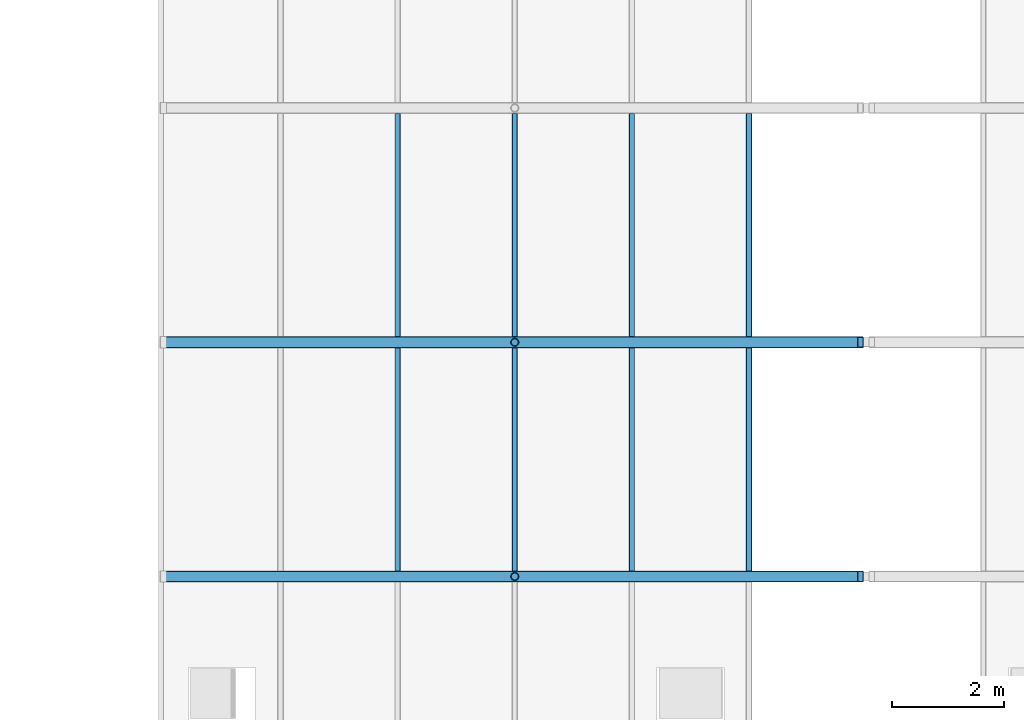
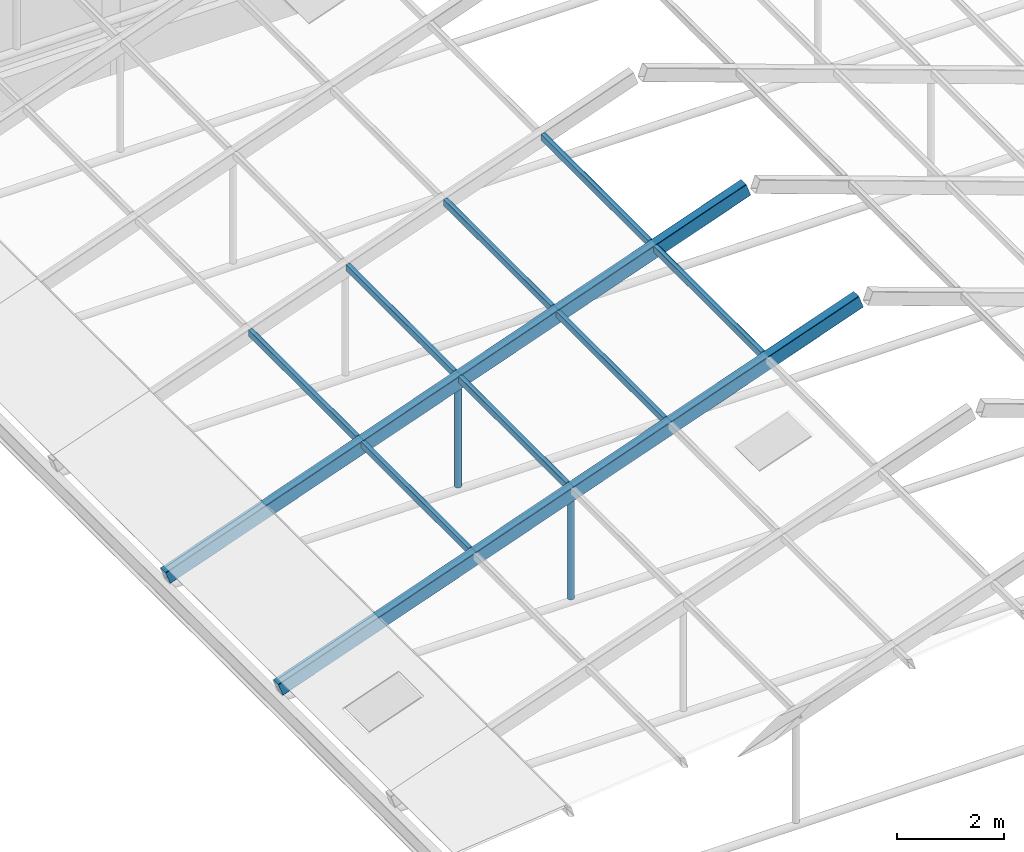
# One storey, part 57 of 116: 12 members.
"""IFC4 building model written with IfcOpenShell, lengths in metres."""

from ifc_helpers import new_model, si_unit, direction, frame, origin, origin_2d, place, context, subcontext, project, spatial, hollow_rectangle, hollow_circle, extrude, material, material_profile, profile_set, type_object, element, save


model = new_model("IFC4")

# Units and contexts
model_context = context("Model", 3, precision=1e-05, world=origin(), true_north=direction((0.0, 1.0)))
body_context = subcontext(model_context, "Body", "Model", "MODEL_VIEW")
ifc_project = project(units=[si_unit("LENGTHUNIT", "METRE"), si_unit("AREAUNIT", "SQUARE_METRE"), si_unit("VOLUMEUNIT", "CUBIC_METRE"), si_unit("PLANEANGLEUNIT", "RADIAN"), si_unit("MASSUNIT", "GRAM", prefix="KILO")], contexts=[model_context])

# Site, building, storey
site_placement = place(None, origin())
site = spatial("IfcSite", under=ifc_project, at=site_placement, CompositionType="ELEMENT")
building_placement = place(site_placement, origin())
building = spatial("IfcBuilding", under=site, at=building_placement, Name="Fescue Hill Polytechnic", CompositionType="ELEMENT")
storey_placement = place(building_placement, frame((0.0, 0.0, 13.5)))
storey = spatial("IfcBuildingStorey", under=building, at=storey_placement, Name="L03", CompositionType="ELEMENT", Elevation=13.5)

# Members
ifc_material = material(Name="Steel 350W (350 MPa)", Category="steel")
ifc_material_profile_1 = material_profile(ifc_material, hollow_rectangle(XDim=0.1015625, YDim=0.15234375, WallThickness=0.00634765625, InnerFilletRadius=0.00634765625, OuterFilletRadius=0.0126953125, at=origin_2d()), Name="Winter garden glazing purlin HSS 152x102x6.4")
ifc_profile_set_1 = profile_set([ifc_material_profile_1], Name="Steel 350W (350 MPa)")
member_type_1 = type_object("IfcMemberType", Name="Winter garden glazing purlin HSS 152x102x6.4", PredefinedType="PURLIN", material=ifc_profile_set_1)
for number, where, z_axis, x_axis, name in (
    (1, (96.599853515625, 88.301513671875, 2.164306640625), (0.0, 1.0, 0.0), (-1.0, 0.0, 0.0), "Winter garden glazing purlin W2 bay 10"),
    (2, (98.69970703125, 88.301513671875, 2.914306640625), (0.0, 1.0, 0.0), (-1.0, 0.0, 0.0), "Winter garden glazing purlin W3 bay 10"),
    (3, (100.799560546875, 88.301513671875, 3.664306640625), (0.0, 1.0, 0.0), (-1.0, 0.0, 0.0), "Winter garden glazing purlin W4 bay 10"),
    (4, (102.899658203125, 88.301513671875, 4.414306640625), (0.0, 1.0, 0.0), (-1.0, 0.0, 0.0), "Winter garden glazing purlin W5 bay 10"),
):
    element("IfcMember", number, at=place(storey_placement, frame(where, z_axis=z_axis, x_axis=x_axis)), inside=storey, type_object=member_type_1, Name=name, PredefinedType="PURLIN", context=body_context, shape_type="SweptSolid", body=[
        extrude(hollow_rectangle(XDim=0.1015625, YDim=0.15234375, WallThickness=0.00634765625, InnerFilletRadius=0.00634765625, OuterFilletRadius=0.0126953125, at=origin_2d()), origin(), (0.0, 0.0, 1.0), 3.996826171875),
    ])
for number, where, z_axis, x_axis, name in (
    (5, (96.599853515625, 92.501708984375, 2.164306640625), (0.0, 1.0, 0.0), (-1.0, 0.0, 0.0), "Winter garden glazing purlin W2 bay 11"),
    (6, (98.69970703125, 92.501708984375, 2.914306640625), (0.0, 1.0, 0.0), (-1.0, 0.0, 0.0), "Winter garden glazing purlin W3 bay 11"),
    (7, (100.799560546875, 92.501708984375, 3.664306640625), (0.0, 1.0, 0.0), (-1.0, 0.0, 0.0), "Winter garden glazing purlin W4 bay 11"),
    (8, (102.899658203125, 92.501708984375, 4.414306640625), (0.0, 1.0, 0.0), (-1.0, 0.0, 0.0), "Winter garden glazing purlin W5 bay 11"),
):
    element("IfcMember", number, at=place(storey_placement, frame(where, z_axis=z_axis, x_axis=x_axis)), inside=storey, type_object=member_type_1, Name=name, PredefinedType="PURLIN", context=body_context, shape_type="SweptSolid", body=[
        extrude(hollow_rectangle(XDim=0.1015625, YDim=0.15234375, WallThickness=0.00634765625, InnerFilletRadius=0.00634765625, OuterFilletRadius=0.0126953125, at=origin_2d()), origin(), (0.0, 0.0, 1.0), 3.99658203125),
    ])
ifc_material_profile_2 = material_profile(ifc_material, hollow_circle(Radius=0.070556640625, WallThickness=0.00634765625, at=origin_2d()), Name="Winter garden queen post CHS 141x6.4")
ifc_profile_set_2 = profile_set([ifc_material_profile_2], Name="Steel 350W (350 MPa)")
member_type_2 = type_object("IfcMemberType", Name="Winter garden queen post CHS 141x6.4", PredefinedType="POST", material=ifc_profile_set_2)
for number, where, z_axis, x_axis, name in (
    (9, (98.699951171875, 88.199951171875, 0.4169921875), (0.0, 0.0, 1.0), (1.0, 0.0, 0.0), "Winter garden queen post 10A"),
    (10, (98.699951171875, 92.39990234375, 0.4169921875), (0.0, 0.0, 1.0), (1.0, 0.0, 0.0), "Winter garden queen post 11A"),
):
    element("IfcMember", number, at=place(storey_placement, frame(where, z_axis=z_axis, x_axis=x_axis)), inside=storey, type_object=member_type_2, Name=name, PredefinedType="POST", context=body_context, shape_type="SweptSolid", body=[
        extrude(hollow_circle(Radius=0.070556640625, WallThickness=0.00634765625, at=origin_2d()), origin(), (0.0, 0.0, 1.0), 2.25),
    ])
ifc_material_profile_3 = material_profile(ifc_material, hollow_rectangle(XDim=0.203125, YDim=0.3046875, WallThickness=0.009521484375, InnerFilletRadius=0.009521484375, OuterFilletRadius=0.01904296875, at=origin_2d()), Name="Winter garden rafter HSS 305x203x9.5")
ifc_profile_set_3 = profile_set([ifc_material_profile_3], Name="Steel 350W (350 MPa)")
member_type_3 = type_object("IfcMemberType", Name="Winter garden rafter HSS 305x203x9.5", PredefinedType="RAFTER", material=ifc_profile_set_3)
for number, where, z_axis, x_axis, name in (
    (11, (92.39990234375, 88.199951171875, 0.578857421875), (0.941740247025, 0.0, 0.336341057756), (0.0, 1.0, 0.0), "Winter garden rafter W10"),
    (12, (92.39990234375, 92.39990234375, 0.578857421875), (0.941740247025, 0.0, 0.336341057756), (0.0, 1.0, 0.0), "Winter garden rafter W11"),
):
    element("IfcMember", number, at=place(storey_placement, frame(where, z_axis=z_axis, x_axis=x_axis)), inside=storey, type_object=member_type_3, Name=name, PredefinedType="RAFTER", context=body_context, shape_type="SweptSolid", body=[
        extrude(hollow_rectangle(XDim=0.203125, YDim=0.3046875, WallThickness=0.009521484375, InnerFilletRadius=0.009521484375, OuterFilletRadius=0.01904296875, at=origin_2d()), origin(), (0.0, 0.0, 1.0), 13.273193359375),
    ])

save(model, "model.ifc")
